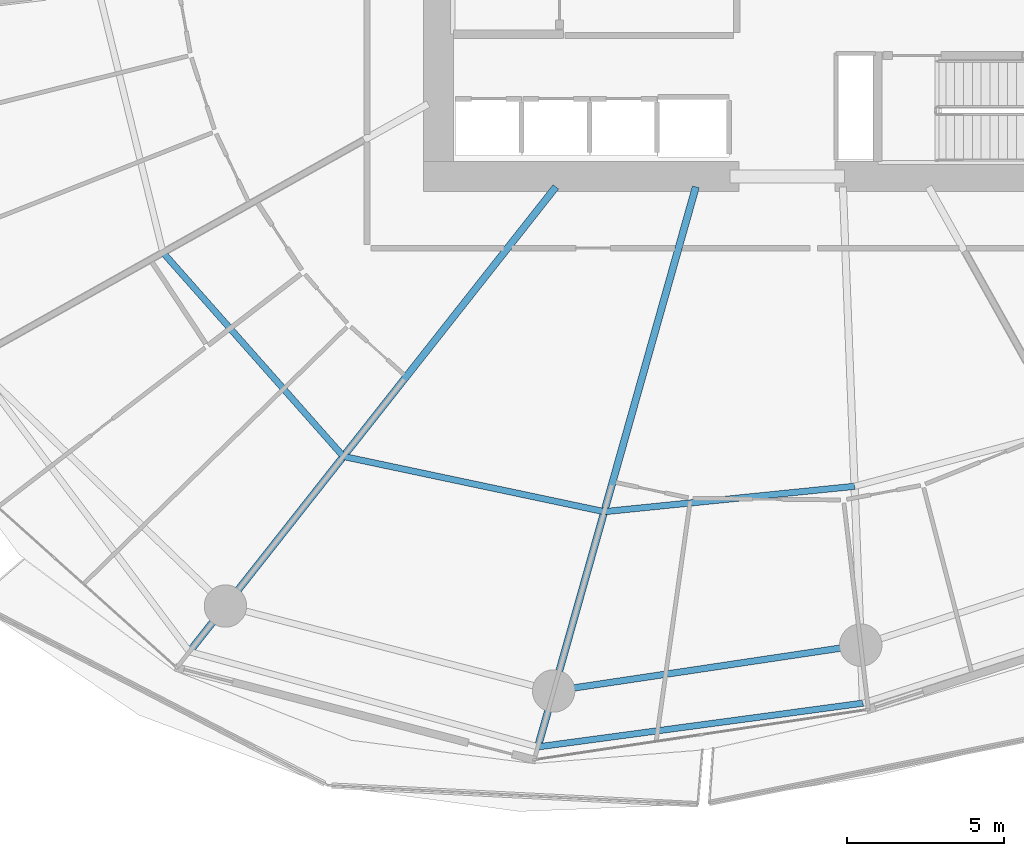
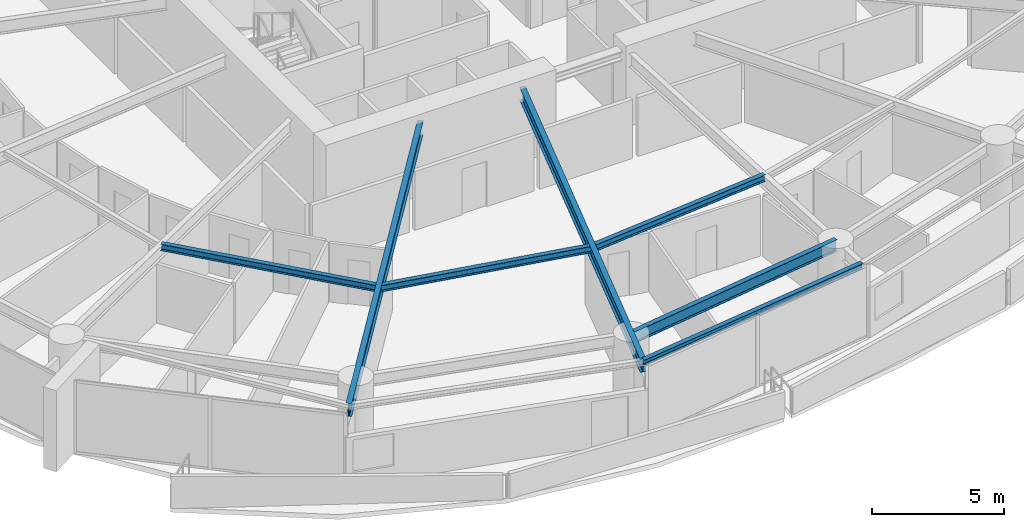
# One storey, part 7 of 31: 7 beams.
"""IFC4 building model written with IfcOpenShell, lengths in metres."""

from ifc_helpers import new_model, si_unit, direction, frame, origin, origin_2d, place, context, subcontext, project, spatial, i_section, extrude, material, material_profile, profile_set, type_object, element, save


model = new_model("IFC4")

# Units and contexts
model_context = context("Model", 3, precision=1e-05, world=origin(), true_north=direction((0.0, 1.0)))
body_context = subcontext(model_context, "Body", "Model", "MODEL_VIEW")
ifc_project = project(units=[si_unit("LENGTHUNIT", "METRE"), si_unit("AREAUNIT", "SQUARE_METRE"), si_unit("VOLUMEUNIT", "CUBIC_METRE"), si_unit("PLANEANGLEUNIT", "RADIAN"), si_unit("MASSUNIT", "GRAM", prefix="KILO")], contexts=[model_context])

# Site, building, storey
site_placement = place(None, origin())
site = spatial("IfcSite", under=ifc_project, at=site_placement, CompositionType="ELEMENT")
building_placement = place(site_placement, origin())
building = spatial("IfcBuilding", under=site, at=building_placement, Name="Kazma Halo Residences", CompositionType="ELEMENT")
storey_placement = place(building_placement, frame((0.0, 0.0, 67.64990234375)))
storey = spatial("IfcBuildingStorey", under=building, at=storey_placement, Name="L16", CompositionType="ELEMENT", Elevation=67.64990234375)

# Beams
ifc_material = material(Name="Steel S355", Category="steel")
ifc_material_profile_1 = material_profile(ifc_material, i_section(OverallWidth=0.201904296875, OverallDepth=0.2470703125, WebThickness=0.00732421875, FlangeThickness=0.010986328125, FilletRadius=0.011962890625, at=origin_2d()), Name="W250x49.1")
ifc_profile_set_1 = profile_set([ifc_material_profile_1], Name="Steel S355")
beam_type_1 = type_object("IfcBeamType", Name="BM-BAL-CANT", PredefinedType="BEAM", material=ifc_profile_set_1)
beam_1_placement = place(storey_placement, frame((40.489501953125, 15.3701171875, 3.2265625), z_axis=(0.991080087388, 0.133267626912, 0.0), x_axis=(-0.133267626912, 0.991080087388, 0.0)))
element("IfcBeam", 1, at=beam_1_placement, inside=storey, type_object=beam_type_1, Name="L16 wave-balcony tie beam 11", PredefinedType="BEAM", context=body_context, shape_type="SweptSolid", body=[
    extrude(i_section(OverallWidth=0.201904296875, OverallDepth=0.2470703125, WebThickness=0.00732421875, FlangeThickness=0.010986328125, FilletRadius=0.011962890625, at=origin_2d()), origin(), (0.0, 0.0, 1.0), 10.444091796875),
])
ifc_material_profile_2 = material_profile(ifc_material, i_section(OverallWidth=0.22802734375, OverallDepth=0.60791015625, WebThickness=0.01123046875, FlangeThickness=0.017333984375, FilletRadius=0.01806640625, at=origin_2d()), Name="W610x113")
ifc_profile_set_2 = profile_set([ifc_material_profile_2], Name="Steel S355")
beam_type_2 = type_object("IfcBeamType", Name="BM-RAD-W610", PredefinedType="BEAM", material=ifc_profile_set_2)
beam_2_placement = place(storey_placement, frame((41.0625, 33.199951171875, 3.046142578125), z_axis=(-0.619092154321, -0.785318345932, 0.0), x_axis=(0.785318345932, -0.619092154321, 0.0)))
element("IfcBeam", 2, at=beam_2_placement, inside=storey, type_object=beam_type_2, Name="L16 radial floor beam 10", PredefinedType="BEAM", context=body_context, shape_type="SweptSolid", body=[
    extrude(i_section(OverallWidth=0.22802734375, OverallDepth=0.60791015625, WebThickness=0.01123046875, FlangeThickness=0.017333984375, FilletRadius=0.01806640625, at=origin_2d()), origin(), (0.0, 0.0, 1.0), 18.84375),
])
beam_3_placement = place(storey_placement, frame((45.51806640625, 33.199951171875, 3.046142578125), z_axis=(-0.271442010129, -0.962454796412, 0.0), x_axis=(0.962454796412, -0.271442010129, 0.0)))
element("IfcBeam", 3, at=beam_3_placement, inside=storey, type_object=beam_type_2, Name="L16 radial floor beam 11", PredefinedType="BEAM", context=body_context, shape_type="SweptSolid", body=[
    extrude(i_section(OverallWidth=0.22802734375, OverallDepth=0.60791015625, WebThickness=0.01123046875, FlangeThickness=0.017333984375, FilletRadius=0.01806640625, at=origin_2d()), origin(), (0.0, 0.0, 1.0), 18.525390625),
])
ifc_material_profile_3 = material_profile(ifc_material, i_section(OverallWidth=0.202880859375, OverallDepth=0.302978515625, WebThickness=0.007568359375, FlangeThickness=0.01318359375, FilletRadius=0.013916015625, at=origin_2d()), Name="W310x60")
ifc_profile_set_3 = profile_set([ifc_material_profile_3], Name="Steel S355")
beam_type_3 = type_object("IfcBeamType", Name="BM-SEC-W310A", PredefinedType="JOIST", material=ifc_profile_set_3)
beam_4_placement = place(storey_placement, frame((28.55224609375, 31.10888671875, 3.198486328125), z_axis=(0.662640120169, -0.748937962146, 0.0), x_axis=(0.748937962146, 0.662640120169, 0.0)))
element("IfcBeam", 4, at=beam_4_placement, inside=storey, type_object=beam_type_3, Name="L16 circumferential floor joist 09", PredefinedType="JOIST", context=body_context, shape_type="SweptSolid", body=[
    extrude(i_section(OverallWidth=0.202880859375, OverallDepth=0.302978515625, WebThickness=0.007568359375, FlangeThickness=0.01318359375, FilletRadius=0.013916015625, at=origin_2d()), origin(), (0.0, 0.0, 1.0), 8.668212890625),
])
beam_5_placement = place(storey_placement, frame((34.296142578125, 24.616943359375, 3.198486328125), z_axis=(0.97831665719, -0.207114746615, 0.0), x_axis=(0.207114746615, 0.97831665719, 0.0)))
element("IfcBeam", 5, at=beam_5_placement, inside=storey, type_object=beam_type_3, Name="L16 circumferential floor joist 10", PredefinedType="JOIST", context=body_context, shape_type="SweptSolid", body=[
    extrude(i_section(OverallWidth=0.202880859375, OverallDepth=0.302978515625, WebThickness=0.007568359375, FlangeThickness=0.01318359375, FilletRadius=0.013916015625, at=origin_2d()), origin(), (0.0, 0.0, 1.0), 8.489501953125),
])
beam_6_placement = place(storey_placement, frame((42.6015625, 22.858642578125, 3.198486328125), z_axis=(0.994907811148, 0.100789123008, 0.0), x_axis=(-0.100789123008, 0.994907811148, 0.0)))
element("IfcBeam", 6, at=beam_6_placement, inside=storey, type_object=beam_type_3, Name="L16 circumferential floor joist 11", PredefinedType="JOIST", context=body_context, shape_type="SweptSolid", body=[
    extrude(i_section(OverallWidth=0.202880859375, OverallDepth=0.302978515625, WebThickness=0.007568359375, FlangeThickness=0.01318359375, FilletRadius=0.013916015625, at=origin_2d()), origin(), (0.0, 0.0, 1.0), 8.010498046875),
])
ifc_material_profile_4 = material_profile(ifc_material, i_section(OverallWidth=0.208984375, OverallDepth=0.532958984375, WebThickness=0.01025390625, FlangeThickness=0.015625, FilletRadius=0.01611328125, at=origin_2d()), Name="W530x92")
ifc_profile_set_4 = profile_set([ifc_material_profile_4], Name="Steel S355")
beam_type_4 = type_object("IfcBeamType", Name="BM-SPN-W530", PredefinedType="BEAM", material=ifc_profile_set_4)
beam_7_placement = place(storey_placement, frame((40.99169921875, 17.150634765625, 3.08349609375), z_axis=(0.989033061974, 0.147694286693, 0.0), x_axis=(-0.147694286693, 0.989033061974, 0.0)))
element("IfcBeam", 7, at=beam_7_placement, inside=storey, type_object=beam_type_4, Name="L16 perimeter ring beam 11", PredefinedType="BEAM", context=body_context, shape_type="SweptSolid", body=[
    extrude(i_section(OverallWidth=0.208984375, OverallDepth=0.532958984375, WebThickness=0.01025390625, FlangeThickness=0.015625, FilletRadius=0.01611328125, at=origin_2d()), origin(), (0.0, 0.0, 1.0), 9.885009765625),
])

save(model, "model.ifc")
